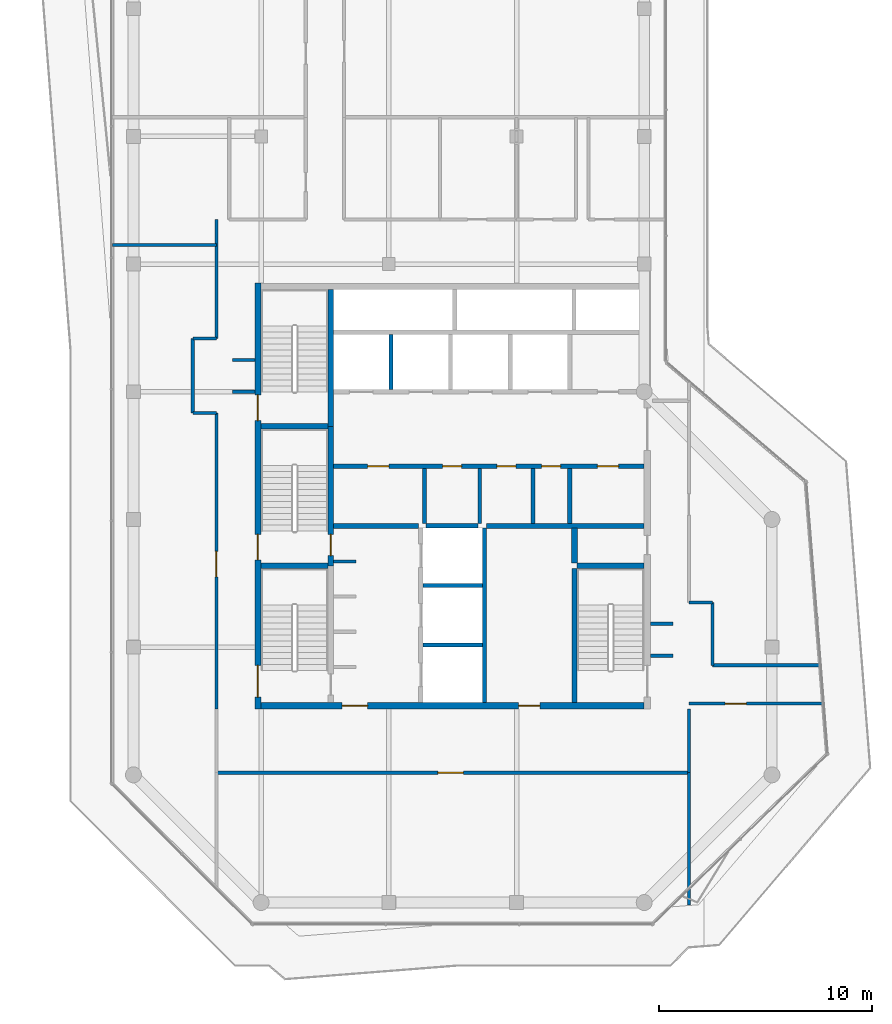
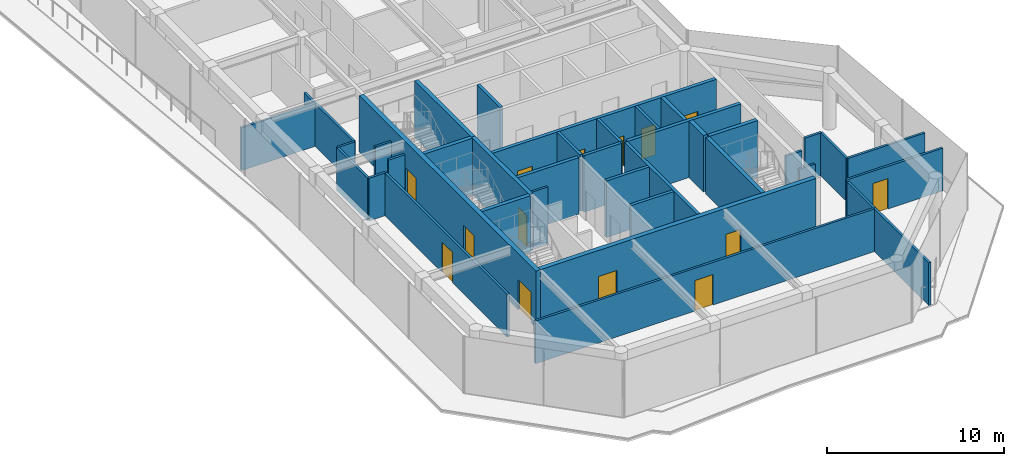
# One storey, part 16 of 20: 39 walls, 14 doors, 14 openings.
"""IFC4 building model written with IfcOpenShell, lengths in metres."""

from ifc_helpers import new_model, si_unit, direction, frame, frame_2d, origin, place, context, subcontext, project, spatial, rectangle, extrude, material, layer, layer_set, type_object, element, fill, save


model = new_model("IFC4")

# Units and contexts
model_context = context("Model", 3, precision=1e-05, world=origin(), true_north=direction((0.0, 1.0)))
body_context = subcontext(model_context, "Body", "Model", "MODEL_VIEW")
ifc_project = project(units=[si_unit("LENGTHUNIT", "METRE"), si_unit("AREAUNIT", "SQUARE_METRE"), si_unit("VOLUMEUNIT", "CUBIC_METRE"), si_unit("PLANEANGLEUNIT", "RADIAN"), si_unit("MASSUNIT", "GRAM", prefix="KILO")], contexts=[model_context])

# Site, building, storey
site_placement = place(None, origin())
site = spatial("IfcSite", under=ifc_project, at=site_placement, CompositionType="ELEMENT")
building_placement = place(site_placement, origin())
building = spatial("IfcBuilding", under=site, at=building_placement, Name="Welwitschia Terrace Campus", CompositionType="ELEMENT")
storey_placement = place(building_placement, frame((0.0, 0.0, 314.60009765625)))
storey = spatial("IfcBuildingStorey", under=building, at=storey_placement, Name="L70", CompositionType="ELEMENT", Elevation=314.60009765625)

# Walls
ifc_material_1 = material(Name="Concrete C32/40", Category="concrete")
ifc_layer_1 = layer(ifc_material_1, 0.175048828125)
ifc_layer_set_1 = layer_set([ifc_layer_1], Name="Concrete C32/40")
wall_type_1 = type_object("IfcWallType", Name="Core partition 175 Concrete C32/40", PredefinedType="PARTITIONING", material=ifc_layer_set_1)
for number, where, z_axis, x_axis, name in (
    (1, (13.675048828125, 13.800048828125, 0.0), (0.0, 0.0, 1.0), (0.0, 1.0, 0.0), "Core partition"),
    (2, (16.27490234375, 13.800048828125, 0.0), (0.0, 0.0, 1.0), (0.0, 1.0, 0.0), "Core partition"),
    (3, (18.77490234375, 13.800048828125, 0.0), (0.0, 0.0, 1.0), (0.0, 1.0, 0.0), "Core partition"),
):
    element("IfcWall", number, at=place(storey_placement, frame(where, z_axis=z_axis, x_axis=x_axis)), inside=storey, type_object=wall_type_1, Name=name, PredefinedType="PARTITIONING", context=body_context, shape_type="SweptSolid", body=[
        extrude(rectangle(XDim=2.599853515625, YDim=0.175048828125, at=frame_2d((1.2998046875, 0.0))), origin(), (0.0, 0.0, 1.0), 3.89990234375),
    ])
ifc_material_2 = material(Name="Concrete C32/40", Category="concrete")
ifc_layer_2 = layer(ifc_material_2, 0.22509765625)
ifc_layer_set_2 = layer_set([ifc_layer_2], Name="Concrete C32/40")
wall_type_2 = type_object("IfcWallType", Name="Core partition 225 Concrete C32/40", PredefinedType="PARTITIONING", material=ifc_layer_set_2)
wall_1_placement = place(storey_placement, frame((9.39990234375, 13.699951171875, 0.0), z_axis=(0.0, 0.0, 1.0), x_axis=(1.0, 0.0, 0.0)))
element("IfcWall", 4, at=wall_1_placement, inside=storey, type_object=wall_type_2, Name="Core partition", PredefinedType="PARTITIONING", context=body_context, shape_type="SweptSolid", body=[
    extrude(rectangle(XDim=4.0, YDim=0.22509765625, at=frame_2d((2.0, 0.0))), origin(), (0.0, 0.0, 1.0), 3.89990234375),
])
wall_2_placement = place(storey_placement, frame((16.60009765625, 13.699951171875, 0.0), z_axis=(0.0, 0.0, 1.0), x_axis=(1.0, 0.0, 0.0)))
element("IfcWall", 5, at=wall_2_placement, inside=storey, type_object=wall_type_2, Name="Core partition", PredefinedType="PARTITIONING", context=body_context, shape_type="SweptSolid", body=[
    extrude(rectangle(XDim=7.39990234375, YDim=0.22509765625, at=frame_2d((3.699951171875, 0.0))), origin(), (0.0, 0.0, 1.0), 3.89990234375),
])

# Wall, openings, doors
wall_3_placement = place(storey_placement, frame((9.39990234375, 16.5, 0.0), z_axis=(0.0, 0.0, 1.0), x_axis=(1.0, 0.0, 0.0)))
wall_3 = element("IfcWall", 6, at=wall_3_placement, inside=storey, type_object=wall_type_2, Name="Core partition", PredefinedType="PARTITIONING", context=body_context, shape_type="SweptSolid", body=[
    extrude(rectangle(XDim=14.60009765625, YDim=0.22509765625, at=frame_2d((7.300048828125, 0.0))), origin(), (0.0, 0.0, 1.0), 3.89990234375),
])
opening_1_placement = place(wall_3_placement, frame((1.60009765625, 0.0, 0.0)))
opening_1 = element("IfcOpeningElement", 7, at=opening_1_placement, cuts=wall_3, Name="Opening DR10", PredefinedType="OPENING", context=body_context, shape_type="SweptSolid", body=[
    extrude(rectangle(XDim=1.0, YDim=2.10009765625, at=frame_2d((0.5, 1.050048828125))), frame((0.0, 0.12255859375, 0.0), z_axis=(0.0, -1.0, 0.0), x_axis=(1.0, 0.0, 0.0)), (0.0, 0.0, 1.0), 0.2451171875),
])
opening_2_placement = place(wall_3_placement, frame((5.125, 0.0, 0.0)))
opening_2 = element("IfcOpeningElement", 8, at=opening_2_placement, cuts=wall_3, Name="Opening DR09", PredefinedType="OPENING", context=body_context, shape_type="SweptSolid", body=[
    extrude(rectangle(XDim=0.89990234375, YDim=2.10009765625, at=frame_2d((0.449951171875, 1.050048828125))), frame((0.0, 0.12255859375, 0.0), z_axis=(0.0, -1.0, 0.0), x_axis=(1.0, 0.0, 0.0)), (0.0, 0.0, 1.0), 0.2451171875),
])
opening_3_placement = place(wall_3_placement, frame((7.675048828125, 0.0, 0.0)))
opening_3 = element("IfcOpeningElement", 9, at=opening_3_placement, cuts=wall_3, Name="Opening DR09", PredefinedType="OPENING", context=body_context, shape_type="SweptSolid", body=[
    extrude(rectangle(XDim=0.89990234375, YDim=2.10009765625, at=frame_2d((0.449951171875, 1.050048828125))), frame((0.0, 0.12255859375, 0.0), z_axis=(0.0, -1.0, 0.0), x_axis=(1.0, 0.0, 0.0)), (0.0, 0.0, 1.0), 0.2451171875),
])
opening_4_placement = place(wall_3_placement, frame((9.77490234375, 0.0, 0.0)))
opening_4 = element("IfcOpeningElement", 10, at=opening_4_placement, cuts=wall_3, Name="Opening DR09", PredefinedType="OPENING", context=body_context, shape_type="SweptSolid", body=[
    extrude(rectangle(XDim=0.89990234375, YDim=2.10009765625, at=frame_2d((0.449951171875, 1.050048828125))), frame((0.0, 0.12255859375, 0.0), z_axis=(0.0, -1.0, 0.0), x_axis=(1.0, 0.0, 0.0)), (0.0, 0.0, 1.0), 0.2451171875),
])
opening_5_placement = place(wall_3_placement, frame((12.39990234375, 0.0, 0.0)))
opening_5 = element("IfcOpeningElement", 11, at=opening_5_placement, cuts=wall_3, Name="Opening DR10", PredefinedType="OPENING", context=body_context, shape_type="SweptSolid", body=[
    extrude(rectangle(XDim=1.0, YDim=2.10009765625, at=frame_2d((0.5, 1.050048828125))), frame((0.0, 0.12255859375, 0.0), z_axis=(0.0, -1.0, 0.0), x_axis=(1.0, 0.0, 0.0)), (0.0, 0.0, 1.0), 0.2451171875),
])
ifc_material_3 = material(Name="Steel S275", Category="steel")
door_type_1 = type_object("IfcDoorType", Name="Core door DR09", OperationType="SINGLE_SWING_LEFT", PredefinedType="DOOR", material=ifc_material_3)
door_1_placement = place(opening_2_placement, origin())
door_1 = element("IfcDoor", 12, at=door_1_placement, inside=storey, type_object=door_type_1, Name="Door BAYL2-D", OperationType="SINGLE_SWING_LEFT", OverallHeight=2.10009765625, OverallWidth=0.89990234375, PredefinedType="DOOR", context=body_context, shape_type="SweptSolid", body=[
    extrude(rectangle(XDim=0.89990234375, YDim=2.10009765625, at=frame_2d((0.449951171875, 1.050048828125))), frame((0.0, 0.02490234375, 0.0), z_axis=(0.0, -1.0, 0.0), x_axis=(1.0, 0.0, 0.0)), (0.0, 0.0, 1.0), 0.050048828125),
])
fill(opening_2, door_1)
door_2_placement = place(opening_3_placement, origin())
door_2 = element("IfcDoor", 13, at=door_2_placement, inside=storey, type_object=door_type_1, Name="Door BAYL3-D", OperationType="SINGLE_SWING_RIGHT", OverallHeight=2.10009765625, OverallWidth=0.89990234375, PredefinedType="DOOR", context=body_context, shape_type="SweptSolid", body=[
    extrude(rectangle(XDim=0.89990234375, YDim=2.10009765625, at=frame_2d((0.449951171875, 1.050048828125))), frame((0.0, 0.02490234375, 0.0), z_axis=(0.0, -1.0, 0.0), x_axis=(1.0, 0.0, 0.0)), (0.0, 0.0, 1.0), 0.050048828125),
])
fill(opening_3, door_2)
door_3_placement = place(opening_4_placement, origin())
door_3 = element("IfcDoor", 14, at=door_3_placement, inside=storey, type_object=door_type_1, Name="Door BAYL4-D", OperationType="SINGLE_SWING_RIGHT", OverallHeight=2.10009765625, OverallWidth=0.89990234375, PredefinedType="DOOR", context=body_context, shape_type="SweptSolid", body=[
    extrude(rectangle(XDim=0.89990234375, YDim=2.10009765625, at=frame_2d((0.449951171875, 1.050048828125))), frame((0.0, 0.02490234375, 0.0), z_axis=(0.0, -1.0, 0.0), x_axis=(1.0, 0.0, 0.0)), (0.0, 0.0, 1.0), 0.050048828125),
])
fill(opening_4, door_3)
ifc_material_4 = material(Name="Steel S275", Category="steel")
door_type_2 = type_object("IfcDoorType", Name="Core door DR10", OperationType="SINGLE_SWING_LEFT", PredefinedType="DOOR", material=ifc_material_4)
door_4_placement = place(opening_1_placement, origin())
door_4 = element("IfcDoor", 15, at=door_4_placement, inside=storey, type_object=door_type_2, Name="Door BAYL1-D", OperationType="SINGLE_SWING_LEFT", OverallHeight=2.10009765625, OverallWidth=1.0, PredefinedType="DOOR", context=body_context, shape_type="SweptSolid", body=[
    extrude(rectangle(XDim=1.0, YDim=2.10009765625, at=frame_2d((0.5, 1.050048828125))), frame((0.0, 0.02490234375, 0.0), z_axis=(0.0, -1.0, 0.0), x_axis=(1.0, 0.0, 0.0)), (0.0, 0.0, 1.0), 0.050048828125),
])
fill(opening_1, door_4)
door_5_placement = place(opening_5_placement, origin())
door_5 = element("IfcDoor", 16, at=door_5_placement, inside=storey, type_object=door_type_2, Name="Door EL-D", OperationType="SINGLE_SWING_RIGHT", OverallHeight=2.10009765625, OverallWidth=1.0, PredefinedType="DOOR", context=body_context, shape_type="SweptSolid", body=[
    extrude(rectangle(XDim=1.0, YDim=2.10009765625, at=frame_2d((0.5, 1.050048828125))), frame((0.0, 0.02490234375, 0.0), z_axis=(0.0, -1.0, 0.0), x_axis=(1.0, 0.0, 0.0)), (0.0, 0.0, 1.0), 0.050048828125),
])
fill(opening_5, door_5)

# Walls
wall_4_placement = place(storey_placement, frame((20.5, 13.800048828125, 0.0), z_axis=(0.0, 0.0, 1.0), x_axis=(0.0, 1.0, 0.0)))
element("IfcWall", 17, at=wall_4_placement, inside=storey, type_object=wall_type_2, Name="Core partition", PredefinedType="PARTITIONING", context=body_context, shape_type="SweptSolid", body=[
    extrude(rectangle(XDim=2.599853515625, YDim=0.22509765625, at=frame_2d((1.2998046875, 0.0))), origin(), (0.0, 0.0, 1.0), 3.89990234375),
])
ifc_material_5 = material(Name="Concrete C32/40", Category="concrete")
ifc_layer_3 = layer(ifc_material_5, 0.27490234375)
ifc_layer_set_3 = layer_set([ifc_layer_3], Name="Concrete C32/40")
wall_type_3 = type_object("IfcWallType", Name="Core partition 275 Concrete C32/40", PredefinedType="PARTITIONING", material=ifc_layer_set_3)
wall_5_placement = place(storey_placement, frame((20.72509765625, 11.949951171875, 0.0), z_axis=(0.0, 0.0, 1.0), x_axis=(0.0, 1.0, 0.0)))
element("IfcWall", 18, at=wall_5_placement, inside=storey, type_object=wall_type_3, Name="Core partition", PredefinedType="PARTITIONING", context=body_context, shape_type="SweptSolid", body=[
    extrude(rectangle(XDim=1.650146484375, YDim=0.27490234375, at=frame_2d((0.8251953125, 0.0))), origin(), (0.0, 0.0, 1.0), 3.89990234375),
])
ifc_material_6 = material(Name="Concrete C50/60", Category="concrete")
ifc_layer_4 = layer(ifc_material_6, 0.14990234375)
ifc_layer_set_4 = layer_set([ifc_layer_4], Name="Concrete C50/60")
wall_type_4 = type_object("IfcWallType", Name="Core wall 150 Concrete C50/60", PredefinedType="SHEAR", material=ifc_layer_set_4)
wall_6_placement = place(storey_placement, frame((9.39990234375, 12.02490234375, 0.0), z_axis=(0.0, 0.0, 1.0), x_axis=(1.0, 0.0, 0.0)))
element("IfcWall", 19, at=wall_6_placement, inside=storey, type_object=wall_type_4, Name="Core wall", PredefinedType="SHEAR", context=body_context, shape_type="SweptSolid", body=[
    extrude(rectangle(XDim=1.050048828125, YDim=0.14990234375, at=frame_2d((0.52490234375, 0.0))), origin(), (0.0, 0.0, 1.0), 3.89990234375),
])
ifc_material_7 = material(Name="Concrete C50/60", Category="concrete")
ifc_layer_5 = layer(ifc_material_7, 0.199951171875)
ifc_layer_set_5 = layer_set([ifc_layer_5], Name="Concrete C50/60")
wall_type_5 = type_object("IfcWallType", Name="Core wall 200 Concrete C50/60", PredefinedType="SHEAR", material=ifc_layer_set_5)
for number, where, z_axis, x_axis, name in (
    (20, (13.60009765625, 8.10009765625, 0.0), (0.0, 0.0, 1.0), (1.0, 0.0, 0.0), "Core wall"),
    (21, (13.60009765625, 10.89990234375, 0.0), (0.0, 0.0, 1.0), (1.0, 0.0, 0.0), "Core wall"),
):
    element("IfcWall", number, at=place(storey_placement, frame(where, z_axis=z_axis, x_axis=x_axis)), inside=storey, type_object=wall_type_5, Name=name, PredefinedType="SHEAR", context=body_context, shape_type="SweptSolid", body=[
        extrude(rectangle(XDim=2.7998046875, YDim=0.199951171875, at=frame_2d((1.39990234375, 0.0))), origin(), (0.0, 0.0, 1.0), 3.89990234375),
    ])
wall_7_placement = place(storey_placement, frame((13.75, 13.699951171875, 0.0), z_axis=(0.0, 0.0, 1.0), x_axis=(1.0, 0.0, 0.0)))
element("IfcWall", 22, at=wall_7_placement, inside=storey, type_object=wall_type_5, Name="Core wall", PredefinedType="SHEAR", context=body_context, shape_type="SweptSolid", body=[
    extrude(rectangle(XDim=2.449951171875, YDim=0.199951171875, at=frame_2d((1.22509765625, 0.0))), origin(), (0.0, 0.0, 1.0), 3.89990234375),
])
wall_8_placement = place(storey_placement, frame((16.5, 5.39990234375, 0.0), z_axis=(0.0, 0.0, 1.0), x_axis=(0.0, 1.0, 0.0)))
element("IfcWall", 23, at=wall_8_placement, inside=storey, type_object=wall_type_5, Name="Core wall", PredefinedType="SHEAR", context=body_context, shape_type="SweptSolid", body=[
    extrude(rectangle(XDim=8.2001953125, YDim=0.199951171875, at=frame_2d((4.10009765625, 0.0))), origin(), (0.0, 0.0, 1.0), 3.89990234375),
])
ifc_material_8 = material(Name="Concrete C50/60", Category="concrete")
ifc_layer_6 = layer(ifc_material_8, 0.25)
ifc_layer_set_6 = layer_set([ifc_layer_6], Name="Concrete C50/60")
wall_type_6 = type_object("IfcWallType", Name="Core wall 250 Concrete C50/60", PredefinedType="SHEAR", material=ifc_layer_set_6)
for number, where, z_axis, x_axis, name in (
    (24, (6.0, 11.824951171875, 0.0), (0.0, 0.0, 1.0), (1.0, 0.0, 0.0), "Core wall"),
    (25, (20.85009765625, 11.824951171875, 0.0), (0.0, 0.0, 1.0), (1.0, 0.0, 0.0), "Core wall"),
    (26, (6.0, 18.375, 0.0), (0.0, 0.0, 1.0), (1.0, 0.0, 0.0), "Core wall"),
):
    element("IfcWall", number, at=place(storey_placement, frame(where, z_axis=z_axis, x_axis=x_axis)), inside=storey, type_object=wall_type_6, Name=name, PredefinedType="SHEAR", context=body_context, shape_type="SweptSolid", body=[
        extrude(rectangle(XDim=3.14990234375, YDim=0.25, at=frame_2d((1.574951171875, 0.0))), origin(), (0.0, 0.0, 1.0), 3.89990234375),
    ])

# Wall, opening, door
wall_9_placement = place(storey_placement, frame((9.27490234375, 18.375, 0.0), z_axis=(0.0, 0.0, 1.0), x_axis=(0.0, -1.0, 0.0)))
wall_9 = element("IfcWall", 27, at=wall_9_placement, inside=storey, type_object=wall_type_6, Name="Core wall", PredefinedType="SHEAR", context=body_context, shape_type="SweptSolid", body=[
    extrude(rectangle(XDim=6.550048828125, YDim=0.25, at=frame_2d((3.27490234375, 0.0))), origin(), (0.0, 0.0, 1.0), 3.89990234375),
])
opening_6_placement = place(wall_9_placement, frame((5.074951171875, 0.0, 0.0)))
opening_6 = element("IfcOpeningElement", 28, at=opening_6_placement, cuts=wall_9, Name="Opening DS10", PredefinedType="OPENING", context=body_context, shape_type="SweptSolid", body=[
    extrude(rectangle(XDim=1.0, YDim=2.10009765625, at=frame_2d((0.5, 1.050048828125))), frame((0.0, 0.135009765625, 0.0), z_axis=(0.0, -1.0, 0.0), x_axis=(1.0, 0.0, 0.0)), (0.0, 0.0, 1.0), 0.27001953125),
])
ifc_material_9 = material(Name="Steel S275", Category="steel")
door_type_3 = type_object("IfcDoorType", Name="Core door DS10", OperationType="SINGLE_SWING_LEFT", PredefinedType="DOOR", material=ifc_material_9)
door_6_placement = place(opening_6_placement, origin())
door_6 = element("IfcDoor", 29, at=door_6_placement, inside=storey, type_object=door_type_3, Name="Door S3-FL", OperationType="SINGLE_SWING_RIGHT", OverallHeight=2.10009765625, OverallWidth=1.0, PredefinedType="DOOR", context=body_context, shape_type="SweptSolid", body=[
    extrude(rectangle(XDim=1.0, YDim=2.10009765625, at=frame_2d((0.5, 1.050048828125))), frame((0.0, 0.02490234375, 0.0), z_axis=(0.0, -1.0, 0.0), x_axis=(1.0, 0.0, 0.0)), (0.0, 0.0, 1.0), 0.050048828125),
])
fill(opening_6, door_6)

# Walls
wall_10_placement = place(storey_placement, frame((9.27490234375, 18.375, 0.0), z_axis=(0.0, 0.0, 1.0), x_axis=(0.0, 1.0, 0.0)))
element("IfcWall", 30, at=wall_10_placement, inside=storey, type_object=wall_type_6, Name="Core wall", PredefinedType="SHEAR", context=body_context, shape_type="SweptSolid", body=[
    extrude(rectangle(XDim=6.425048828125, YDim=0.25, at=frame_2d((3.21240234375, 0.0))), origin(), (0.0, 0.0, 1.0), 3.89990234375),
])
wall_11_placement = place(storey_placement, frame((20.72509765625, 5.39990234375, 0.0), z_axis=(0.0, 0.0, 1.0), x_axis=(0.0, 1.0, 0.0)))
element("IfcWall", 31, at=wall_11_placement, inside=storey, type_object=wall_type_6, Name="Core wall", PredefinedType="SHEAR", context=body_context, shape_type="SweptSolid", body=[
    extrude(rectangle(XDim=6.300048828125, YDim=0.25, at=frame_2d((3.14990234375, 0.0))), origin(), (0.0, 0.0, 1.0), 3.89990234375),
])

# Wall, openings, doors
ifc_material_10 = material(Name="Concrete C50/60", Category="concrete")
ifc_layer_7 = layer(ifc_material_10, 0.300048828125)
ifc_layer_set_7 = layer_set([ifc_layer_7], Name="Concrete C50/60")
wall_type_7 = type_object("IfcWallType", Name="Core wall 300 Concrete C50/60", PredefinedType="SHEAR", material=ifc_layer_set_7)
wall_12_placement = place(storey_placement, frame((5.85009765625, 5.10009765625, 0.0), z_axis=(0.0, 0.0, 1.0), x_axis=(0.0, 1.0, 0.0)))
wall_12 = element("IfcWall", 32, at=wall_12_placement, inside=storey, type_object=wall_type_7, Name="Core outer wall", PredefinedType="SHEAR", context=body_context, shape_type="SweptSolid", body=[
    extrude(rectangle(XDim=20.0, YDim=0.300048828125, at=frame_2d((10.0, 0.0))), origin(), (0.0, 0.0, 1.0), 3.89990234375),
])
opening_7_placement = place(wall_12_placement, frame((0.550048828125, 0.0, 0.0)))
opening_7 = element("IfcOpeningElement", 33, at=opening_7_placement, cuts=wall_12, Name="Opening DS15", PredefinedType="OPENING", context=body_context, shape_type="SweptSolid", body=[
    extrude(rectangle(XDim=1.5, YDim=2.10009765625, at=frame_2d((0.75, 1.050048828125))), frame((0.0, 0.159912109375, 0.0), z_axis=(0.0, -1.0, 0.0), x_axis=(1.0, 0.0, 0.0)), (0.0, 0.0, 1.0), 0.320068359375),
])
opening_8_placement = place(wall_12_placement, frame((7.0, 0.0, 0.0)))
opening_8 = element("IfcOpeningElement", 34, at=opening_8_placement, cuts=wall_12, Name="Opening DS12", PredefinedType="OPENING", context=body_context, shape_type="SweptSolid", body=[
    extrude(rectangle(XDim=1.199951171875, YDim=2.10009765625, at=frame_2d((0.60009765625, 1.050048828125))), frame((0.0, 0.159912109375, 0.0), z_axis=(0.0, -1.0, 0.0), x_axis=(1.0, 0.0, 0.0)), (0.0, 0.0, 1.0), 0.320068359375),
])
opening_9_placement = place(wall_12_placement, frame((13.550048828125, 0.0, 0.0)))
opening_9 = element("IfcOpeningElement", 35, at=opening_9_placement, cuts=wall_12, Name="Opening DS12", PredefinedType="OPENING", context=body_context, shape_type="SweptSolid", body=[
    extrude(rectangle(XDim=1.199951171875, YDim=2.10009765625, at=frame_2d((0.60009765625, 1.050048828125))), frame((0.0, 0.159912109375, 0.0), z_axis=(0.0, -1.0, 0.0), x_axis=(1.0, 0.0, 0.0)), (0.0, 0.0, 1.0), 0.320068359375),
])
ifc_material_11 = material(Name="Steel S275", Category="steel")
door_type_4 = type_object("IfcDoorType", Name="Core door DS12", OperationType="SINGLE_SWING_LEFT", PredefinedType="DOOR", material=ifc_material_11)
door_7_placement = place(opening_8_placement, origin())
door_7 = element("IfcDoor", 36, at=door_7_placement, inside=storey, type_object=door_type_4, Name="Door S3-out", OperationType="SINGLE_SWING_LEFT", OverallHeight=2.10009765625, OverallWidth=1.199951171875, PredefinedType="DOOR", context=body_context, shape_type="SweptSolid", body=[
    extrude(rectangle(XDim=1.199951171875, YDim=2.10009765625, at=frame_2d((0.60009765625, 1.050048828125))), frame((0.0, 0.02490234375, 0.0), z_axis=(0.0, -1.0, 0.0), x_axis=(1.0, 0.0, 0.0)), (0.0, 0.0, 1.0), 0.050048828125),
])
fill(opening_8, door_7)
door_8_placement = place(opening_9_placement, origin())
door_8 = element("IfcDoor", 37, at=door_8_placement, inside=storey, type_object=door_type_4, Name="Door S4-out", OperationType="SINGLE_SWING_RIGHT", OverallHeight=2.10009765625, OverallWidth=1.199951171875, PredefinedType="DOOR", context=body_context, shape_type="SweptSolid", body=[
    extrude(rectangle(XDim=1.199951171875, YDim=2.10009765625, at=frame_2d((0.60009765625, 1.050048828125))), frame((0.0, 0.02490234375, 0.0), z_axis=(0.0, -1.0, 0.0), x_axis=(1.0, 0.0, 0.0)), (0.0, 0.0, 1.0), 0.050048828125),
])
fill(opening_9, door_8)
ifc_material_12 = material(Name="Steel S275", Category="steel")
door_type_5 = type_object("IfcDoorType", Name="Core door DS15", OperationType="DOUBLE_DOOR_SINGLE_SWING", PredefinedType="DOOR", material=ifc_material_12)
door_9_placement = place(opening_7_placement, origin())
door_9 = element("IfcDoor", 38, at=door_9_placement, inside=storey, type_object=door_type_5, Name="Door S1-out", OperationType="DOUBLE_DOOR_SINGLE_SWING", OverallHeight=2.10009765625, OverallWidth=1.5, PredefinedType="DOOR", context=body_context, shape_type="SweptSolid", body=[
    extrude(rectangle(XDim=1.5, YDim=2.10009765625, at=frame_2d((0.75, 1.050048828125))), frame((0.0, 0.02490234375, 0.0), z_axis=(0.0, -1.0, 0.0), x_axis=(1.0, 0.0, 0.0)), (0.0, 0.0, 1.0), 0.050048828125),
])
fill(opening_7, door_9)

wall_13_placement = place(storey_placement, frame((24.0, 5.25, 0.0), z_axis=(0.0, 0.0, 1.0), x_axis=(-1.0, 0.0, 0.0)))
wall_13 = element("IfcWall", 39, at=wall_13_placement, inside=storey, type_object=wall_type_7, Name="Core outer wall", PredefinedType="SHEAR", context=body_context, shape_type="SweptSolid", body=[
    extrude(rectangle(XDim=18.0, YDim=0.300048828125, at=frame_2d((9.0, 0.0))), origin(), (0.0, 0.0, 1.0), 3.89990234375),
])
opening_10_placement = place(wall_13_placement, frame((13.0, 0.0, 0.0)))
opening_10 = element("IfcOpeningElement", 40, at=opening_10_placement, cuts=wall_13, Name="Opening DF12", PredefinedType="OPENING", context=body_context, shape_type="SweptSolid", body=[
    extrude(rectangle(XDim=1.199951171875, YDim=2.10009765625, at=frame_2d((0.60009765625, 1.050048828125))), frame((0.0, 0.159912109375, 0.0), z_axis=(0.0, -1.0, 0.0), x_axis=(1.0, 0.0, 0.0)), (0.0, 0.0, 1.0), 0.320068359375),
])
opening_11_placement = place(wall_13_placement, frame((4.89990234375, 0.0, 0.0)))
opening_11 = element("IfcOpeningElement", 41, at=opening_11_placement, cuts=wall_13, Name="Opening DR10", PredefinedType="OPENING", context=body_context, shape_type="SweptSolid", body=[
    extrude(rectangle(XDim=1.0, YDim=2.10009765625, at=frame_2d((0.5, 1.050048828125))), frame((0.0, 0.159912109375, 0.0), z_axis=(0.0, -1.0, 0.0), x_axis=(1.0, 0.0, 0.0)), (0.0, 0.0, 1.0), 0.320068359375),
])
ifc_material_13 = material(Name="Steel S275", Category="steel")
door_type_6 = type_object("IfcDoorType", Name="Core door DF12", OperationType="SINGLE_SWING_LEFT", PredefinedType="DOOR", material=ifc_material_13)
door_10_placement = place(opening_10_placement, origin())
door_10 = element("IfcDoor", 42, at=door_10_placement, inside=storey, type_object=door_type_6, Name="Door FL-out", OperationType="SINGLE_SWING_RIGHT", OverallHeight=2.10009765625, OverallWidth=1.199951171875, PredefinedType="DOOR", context=body_context, shape_type="SweptSolid", body=[
    extrude(rectangle(XDim=1.199951171875, YDim=2.10009765625, at=frame_2d((0.60009765625, 1.050048828125))), frame((0.0, 0.02490234375, 0.0), z_axis=(0.0, -1.0, 0.0), x_axis=(1.0, 0.0, 0.0)), (0.0, 0.0, 1.0), 0.050048828125),
])
fill(opening_10, door_10)
door_11_placement = place(opening_11_placement, origin())
door_11 = element("IfcDoor", 43, at=door_11_placement, inside=storey, type_object=door_type_2, Name="Door F1-out", OperationType="SINGLE_SWING_LEFT", OverallHeight=2.10009765625, OverallWidth=1.0, PredefinedType="DOOR", context=body_context, shape_type="SweptSolid", body=[
    extrude(rectangle(XDim=1.0, YDim=2.10009765625, at=frame_2d((0.5, 1.050048828125))), frame((0.0, 0.02490234375, 0.0), z_axis=(0.0, -1.0, 0.0), x_axis=(1.0, 0.0, 0.0)), (0.0, 0.0, 1.0), 0.050048828125),
])
fill(opening_11, door_11)

# Walls
ifc_material_14 = material(Name="Gypsum board on steel studs", Category="steel")
ifc_layer_8 = layer(ifc_material_14, 0.14990234375)
ifc_layer_set_8 = layer_set([ifc_layer_8], Name="Gypsum board on steel studs")
wall_type_8 = type_object("IfcWallType", Name="Corridor partition 150 EI 30", PredefinedType="PARTITIONING", material=ifc_layer_set_8)
wall_14_placement = place(storey_placement, frame((-0.97998046875, 26.89990234375, 0.0), z_axis=(0.0, 0.0, 1.0), x_axis=(1.0, 0.0, 0.0)))
element("IfcWall", 44, at=wall_14_placement, inside=storey, type_object=wall_type_8, Name="Partition", PredefinedType="PARTITIONING", context=body_context, shape_type="SweptSolid", body=[
    extrude(rectangle(XDim=4.8798828125, YDim=0.14990234375, at=frame_2d((2.43994140625, 0.0))), origin(), (0.0, 0.0, 1.0), 2.949951171875),
])
wall_15_placement = place(storey_placement, frame((2.7900390625, 19.0, 0.0), z_axis=(0.0, 0.0, 1.0), x_axis=(0.0, 1.0, 0.0)))
element("IfcWall", 45, at=wall_15_placement, inside=storey, type_object=wall_type_8, Name="Partition", PredefinedType="PARTITIONING", context=body_context, shape_type="SweptSolid", body=[
    extrude(rectangle(XDim=3.5, YDim=0.14990234375, at=frame_2d((1.75, 0.0))), origin(), (0.0, 0.0, 1.0), 2.949951171875),
])
for number, where, z_axis, x_axis, name in (
    (46, (2.7900390625, 19.0, 0.0), (0.0, 0.0, 1.0), (1.0, 0.0, 0.0), "Partition"),
    (47, (2.7900390625, 22.5, 0.0), (0.0, 0.0, 1.0), (1.0, 0.0, 0.0), "Partition"),
):
    element("IfcWall", number, at=place(storey_placement, frame(where, z_axis=z_axis, x_axis=x_axis)), inside=storey, type_object=wall_type_8, Name=name, PredefinedType="PARTITIONING", context=body_context, shape_type="SweptSolid", body=[
        extrude(rectangle(XDim=1.10986328125, YDim=0.14990234375, at=frame_2d((0.554931640625, 0.0))), origin(), (0.0, 0.0, 1.0), 2.949951171875),
    ])

# Wall, opening, door
wall_16_placement = place(storey_placement, frame((3.89990234375, 5.10009765625, 0.0), z_axis=(0.0, 0.0, 1.0), x_axis=(0.0, 1.0, 0.0)))
wall_16 = element("IfcWall", 48, at=wall_16_placement, inside=storey, type_object=wall_type_8, Name="Partition", PredefinedType="PARTITIONING", context=body_context, shape_type="SweptSolid", body=[
    extrude(rectangle(XDim=13.89990234375, YDim=0.14990234375, at=frame_2d((6.949951171875, 0.0))), origin(), (0.0, 0.0, 1.0), 2.949951171875),
])
opening_12_placement = place(wall_16_placement, frame((6.199951171875, 0.0, 0.0)))
opening_12 = element("IfcOpeningElement", 49, at=opening_12_placement, cuts=wall_16, Name="Opening DI12", PredefinedType="OPENING", context=body_context, shape_type="SweptSolid", body=[
    extrude(rectangle(XDim=1.199951171875, YDim=2.10009765625, at=frame_2d((0.60009765625, 1.050048828125))), frame((0.0, 0.0849609375, 0.0), z_axis=(0.0, -1.0, 0.0), x_axis=(1.0, 0.0, 0.0)), (0.0, 0.0, 1.0), 0.169921875),
])
ifc_material_15 = material(Name="Timber veneered door", Category="wood")
door_type_7 = type_object("IfcDoorType", Name="Interior door DI12", OperationType="NOTDEFINED", PredefinedType="DOOR", material=ifc_material_15)
door_12_placement = place(opening_12_placement, origin())
door_12 = element("IfcDoor", 50, at=door_12_placement, inside=storey, type_object=door_type_7, Name="Door L70 1229", OperationType="SINGLE_SWING_RIGHT", OverallHeight=2.10009765625, OverallWidth=1.199951171875, PredefinedType="DOOR", context=body_context, shape_type="SweptSolid", body=[
    extrude(rectangle(XDim=1.199951171875, YDim=2.10009765625, at=frame_2d((0.60009765625, 1.050048828125))), frame((0.0, 0.02490234375, 0.0), z_axis=(0.0, -1.0, 0.0), x_axis=(1.0, 0.0, 0.0)), (0.0, 0.0, 1.0), 0.050048828125),
])
fill(opening_12, door_12)

# Walls
wall_17_placement = place(storey_placement, frame((3.89990234375, 22.5, 0.0), z_axis=(0.0, 0.0, 1.0), x_axis=(0.0, 1.0, 0.0)))
element("IfcWall", 51, at=wall_17_placement, inside=storey, type_object=wall_type_8, Name="Partition", PredefinedType="PARTITIONING", context=body_context, shape_type="SweptSolid", body=[
    extrude(rectangle(XDim=5.60009765625, YDim=0.14990234375, at=frame_2d((2.800048828125, 0.0))), origin(), (0.0, 0.0, 1.0), 2.949951171875),
])
for number, where, z_axis, x_axis, name in (
    (52, (4.64990234375, 20.0, 0.0), (0.0, 0.0, 1.0), (1.0, 0.0, 0.0), "Partition"),
    (53, (4.64990234375, 21.5, 0.0), (0.0, 0.0, 1.0), (1.0, 0.0, 0.0), "Partition"),
    (54, (24.300048828125, 7.60009765625, 0.0), (0.0, 0.0, 1.0), (1.0, 0.0, 0.0), "Partition"),
    (55, (24.300048828125, 9.10009765625, 0.0), (0.0, 0.0, 1.0), (1.0, 0.0, 0.0), "Partition"),
):
    element("IfcWall", number, at=place(storey_placement, frame(where, z_axis=z_axis, x_axis=x_axis)), inside=storey, type_object=wall_type_8, Name=name, PredefinedType="PARTITIONING", context=body_context, shape_type="SweptSolid", body=[
        extrude(rectangle(XDim=1.050048828125, YDim=0.14990234375, at=frame_2d((0.52490234375, 0.0))), origin(), (0.0, 0.0, 1.0), 2.949951171875),
    ])
wall_18_placement = place(storey_placement, frame((26.10009765625, -4.1201171875, 0.0), z_axis=(0.0, 0.0, 1.0), x_axis=(0.0, 1.0, 0.0)))
element("IfcWall", 56, at=wall_18_placement, inside=storey, type_object=wall_type_8, Name="Partition", PredefinedType="PARTITIONING", context=body_context, shape_type="SweptSolid", body=[
    extrude(rectangle(XDim=6.22021484375, YDim=0.14990234375, at=frame_2d((3.110107421875, 0.0))), origin(), (0.0, 0.0, 1.0), 2.949951171875),
])

# Wall, opening, door
wall_19_placement = place(storey_placement, frame((26.10009765625, 2.10009765625, 0.0), z_axis=(0.0, 0.0, 1.0), x_axis=(-1.0, 0.0, 0.0)))
wall_19 = element("IfcWall", 57, at=wall_19_placement, inside=storey, type_object=wall_type_8, Name="Partition", PredefinedType="PARTITIONING", context=body_context, shape_type="SweptSolid", body=[
    extrude(rectangle(XDim=22.2001953125, YDim=0.14990234375, at=frame_2d((11.10009765625, 0.0))), origin(), (0.0, 0.0, 1.0), 2.949951171875),
])
opening_13_placement = place(wall_19_placement, frame((10.60009765625, 0.0, 0.0)))
opening_13 = element("IfcOpeningElement", 58, at=opening_13_placement, cuts=wall_19, Name="Opening DI12", PredefinedType="OPENING", context=body_context, shape_type="SweptSolid", body=[
    extrude(rectangle(XDim=1.199951171875, YDim=2.10009765625, at=frame_2d((0.60009765625, 1.050048828125))), frame((0.0, 0.0849609375, 0.0), z_axis=(0.0, -1.0, 0.0), x_axis=(1.0, 0.0, 0.0)), (0.0, 0.0, 1.0), 0.169921875),
])
door_13_placement = place(opening_13_placement, origin())
door_13 = element("IfcDoor", 59, at=door_13_placement, inside=storey, type_object=door_type_7, Name="Door L70 1239", OperationType="SINGLE_SWING_RIGHT", OverallHeight=2.10009765625, OverallWidth=1.199951171875, PredefinedType="DOOR", context=body_context, shape_type="SweptSolid", body=[
    extrude(rectangle(XDim=1.199951171875, YDim=2.10009765625, at=frame_2d((0.60009765625, 1.050048828125))), frame((0.0, 0.02490234375, 0.0), z_axis=(0.0, -1.0, 0.0), x_axis=(1.0, 0.0, 0.0)), (0.0, 0.0, 1.0), 0.050048828125),
])
fill(opening_13, door_13)

# Walls
wall_20_placement = place(storey_placement, frame((26.10009765625, 2.10009765625, 0.0), z_axis=(0.0, 0.0, 1.0), x_axis=(0.0, 1.0, 0.0)))
element("IfcWall", 60, at=wall_20_placement, inside=storey, type_object=wall_type_8, Name="Partition", PredefinedType="PARTITIONING", context=body_context, shape_type="SweptSolid", body=[
    extrude(rectangle(XDim=3.0, YDim=0.14990234375, at=frame_2d((1.5, 0.0))), origin(), (0.0, 0.0, 1.0), 2.949951171875),
])
wall_21_placement = place(storey_placement, frame((26.10009765625, 10.10009765625, 0.0), z_axis=(0.0, 0.0, 1.0), x_axis=(1.0, 0.0, 0.0)))
element("IfcWall", 61, at=wall_21_placement, inside=storey, type_object=wall_type_8, Name="Partition", PredefinedType="PARTITIONING", context=body_context, shape_type="SweptSolid", body=[
    extrude(rectangle(XDim=1.10986328125, YDim=0.14990234375, at=frame_2d((0.554931640625, 0.0))), origin(), (0.0, 0.0, 1.0), 2.949951171875),
])
wall_22_placement = place(storey_placement, frame((27.2099609375, 7.14990234375, 0.0), z_axis=(0.0, 0.0, 1.0), x_axis=(0.0, 1.0, 0.0)))
element("IfcWall", 62, at=wall_22_placement, inside=storey, type_object=wall_type_8, Name="Partition", PredefinedType="PARTITIONING", context=body_context, shape_type="SweptSolid", body=[
    extrude(rectangle(XDim=2.9501953125, YDim=0.14990234375, at=frame_2d((1.47509765625, 0.0))), origin(), (0.0, 0.0, 1.0), 2.949951171875),
])
wall_23_placement = place(storey_placement, frame((27.2099609375, 7.14990234375, 0.0), z_axis=(0.0, 0.0, 1.0), x_axis=(1.0, 0.0, 0.0)))
element("IfcWall", 63, at=wall_23_placement, inside=storey, type_object=wall_type_8, Name="Partition", PredefinedType="PARTITIONING", context=body_context, shape_type="SweptSolid", body=[
    extrude(rectangle(XDim=5.0400390625, YDim=0.14990234375, at=frame_2d((2.52001953125, 0.0))), origin(), (0.0, 0.0, 1.0), 2.949951171875),
])

# Wall, opening, door
wall_24_placement = place(storey_placement, frame((32.389892578125, 5.35009765625, 0.0), z_axis=(0.0, 0.0, 1.0), x_axis=(-1.0, 0.0, 0.0)))
wall_24 = element("IfcWall", 64, at=wall_24_placement, inside=storey, type_object=wall_type_8, Name="Partition", PredefinedType="PARTITIONING", context=body_context, shape_type="SweptSolid", body=[
    extrude(rectangle(XDim=6.289794921875, YDim=0.14990234375, at=frame_2d((3.14501953125, 0.0))), origin(), (0.0, 0.0, 1.0), 2.949951171875),
])
opening_14_placement = place(wall_24_placement, frame((3.590087890625, 0.0, 0.0)))
opening_14 = element("IfcOpeningElement", 65, at=opening_14_placement, cuts=wall_24, Name="Opening DI10", PredefinedType="OPENING", context=body_context, shape_type="SweptSolid", body=[
    extrude(rectangle(XDim=1.0, YDim=2.10009765625, at=frame_2d((0.5, 1.050048828125))), frame((0.0, 0.0849609375, 0.0), z_axis=(0.0, -1.0, 0.0), x_axis=(1.0, 0.0, 0.0)), (0.0, 0.0, 1.0), 0.169921875),
])
ifc_material_16 = material(Name="Timber veneered door", Category="wood")
door_type_8 = type_object("IfcDoorType", Name="Interior door DI10", OperationType="NOTDEFINED", PredefinedType="DOOR", material=ifc_material_16)
door_14_placement = place(opening_14_placement, origin())
door_14 = element("IfcDoor", 66, at=door_14_placement, inside=storey, type_object=door_type_8, Name="Door L70 1241", OperationType="SINGLE_SWING_RIGHT", OverallHeight=2.10009765625, OverallWidth=1.0, PredefinedType="DOOR", context=body_context, shape_type="SweptSolid", body=[
    extrude(rectangle(XDim=1.0, YDim=2.10009765625, at=frame_2d((0.5, 1.050048828125))), frame((0.0, 0.02490234375, 0.0), z_axis=(0.0, -1.0, 0.0), x_axis=(1.0, 0.0, 0.0)), (0.0, 0.0, 1.0), 0.050048828125),
])
fill(opening_14, door_14)

# Wall
ifc_material_17 = material(Name="Concrete C32/40", Category="concrete")
ifc_layer_9 = layer(ifc_material_17, 0.199951171875)
ifc_layer_set_9 = layer_set([ifc_layer_9], Name="Concrete C32/40")
wall_type_9 = type_object("IfcWallType", Name="Shaft wall 200 Concrete C32/40", PredefinedType="SOLIDWALL", material=ifc_layer_set_9)
wall_25_placement = place(storey_placement, frame((12.10009765625, 20.10009765625, 0.0), z_axis=(0.0, 0.0, 1.0), x_axis=(0.0, 1.0, 0.0)))
element("IfcWall", 67, at=wall_25_placement, inside=storey, type_object=wall_type_9, Name="Shaft wall", PredefinedType="SOLIDWALL", context=body_context, shape_type="SweptSolid", body=[
    extrude(rectangle(XDim=2.599853515625, YDim=0.199951171875, at=frame_2d((1.2998046875, 0.0))), origin(), (0.0, 0.0, 1.0), 3.89990234375),
])

save(model, "model.ifc")
